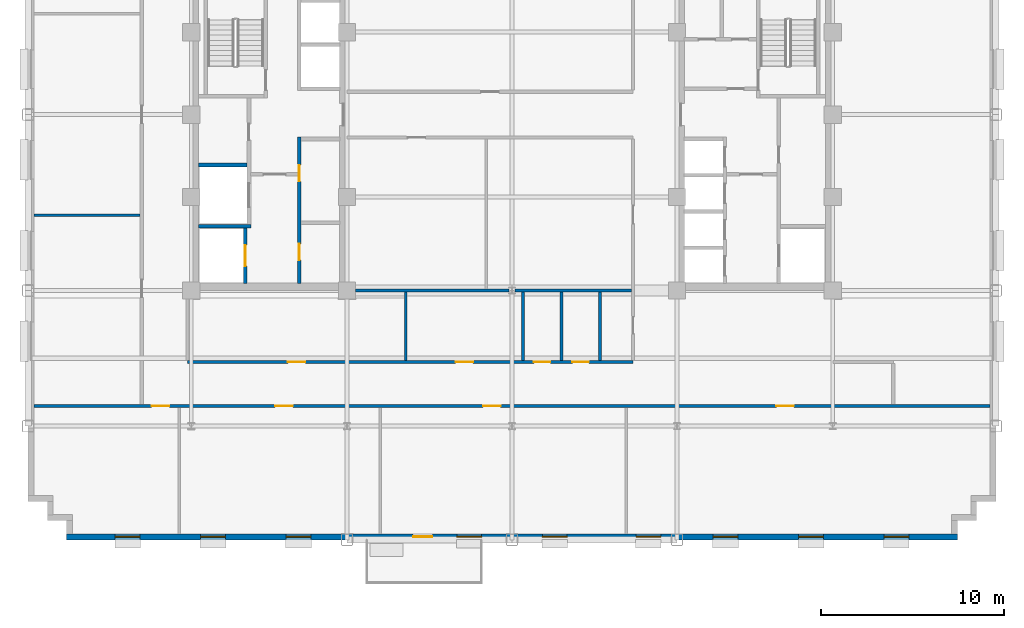
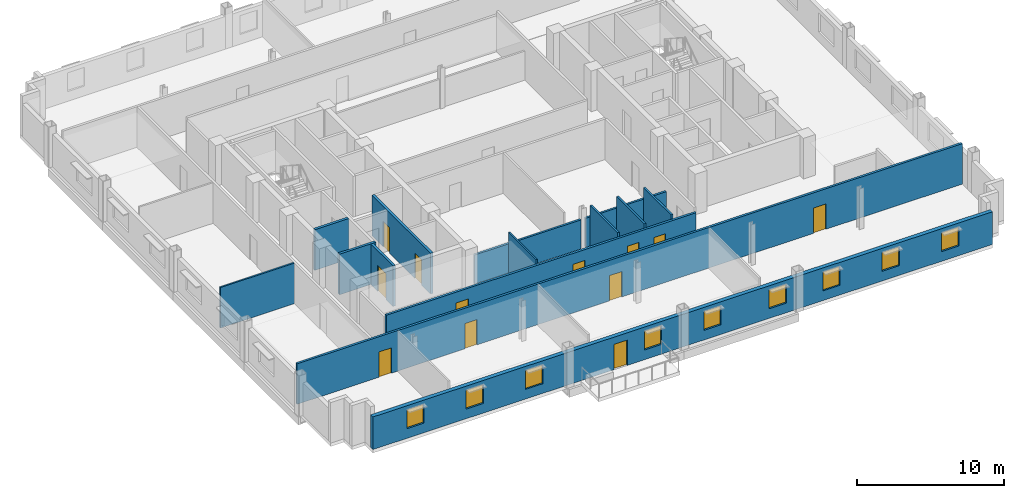
# One storey, part 6 of 13: 14 walls, 12 doors, 9 windows, 21 openings.
"""IFC4 building model written with IfcOpenShell, lengths in metres."""

from ifc_helpers import new_model, si_unit, direction, frame, frame_2d, origin, place, context, subcontext, project, spatial, rectangle, extrude, source, transform, mapped, material, layer, layer_set, type_object, type_shapes, element, fill, save


model = new_model("IFC4")

# Units and contexts
model_context = context("Model", 3, precision=1e-05, world=origin(), true_north=direction((0.0, 1.0)))
body_context = subcontext(model_context, "Body", "Model", "MODEL_VIEW")
ifc_project = project(units=[si_unit("LENGTHUNIT", "METRE"), si_unit("AREAUNIT", "SQUARE_METRE"), si_unit("VOLUMEUNIT", "CUBIC_METRE"), si_unit("PLANEANGLEUNIT", "RADIAN"), si_unit("MASSUNIT", "GRAM", prefix="KILO")], contexts=[model_context])

# Site, building, storey
site_placement = place(None, origin())
site = spatial("IfcSite", under=ifc_project, at=site_placement, CompositionType="ELEMENT")
building_placement = place(site_placement, origin())
building = spatial("IfcBuilding", under=site, at=building_placement, Name="Nuvemarco Arch Tower", CompositionType="ELEMENT")
storey_placement = place(building_placement, frame((0.0, 0.0, 156.699951171875)))
storey = spatial("IfcBuildingStorey", under=building, at=storey_placement, Name="L41", CompositionType="ELEMENT", Elevation=156.699951171875)

# Wall, openings, door, windows
ifc_material_1 = material(Name="Precast concrete C45/55", Category="concrete")
ifc_layer_1 = layer(ifc_material_1, 0.320068359375, Name="EW-MID-320")
ifc_layer_set_1 = layer_set([ifc_layer_1], Name="Precast concrete C45/55")
wall_type_1 = type_object("IfcWallType", Name="EW-MID-320", PredefinedType="STANDARD", material=ifc_layer_set_1)
wall_1_placement = place(storey_placement, frame((-24.300048828125, -23.0400390625, 0.0), z_axis=(0.0, 0.0, 1.0), x_axis=(1.0, 0.0, 0.0)))
wall_1 = element("IfcWall", 1, at=wall_1_placement, inside=storey, type_object=wall_type_1, Name="L41 exterior precast facade wall 1", PredefinedType="STANDARD", context=body_context, shape_type="SweptSolid", body=[
    extrude(rectangle(XDim=48.60009765625, YDim=0.320068359375, at=frame_2d((24.300048828125, 0.0))), origin(), (0.0, 0.0, 1.0), 2.705078125),
])
opening_1_placement = place(wall_1_placement, frame((19.949951171875, 0.0, 0.0), z_axis=(0.0, 0.0, 1.0), x_axis=(-1.0, 0.0, 0.0)))
opening_1 = element("IfcOpeningElement", 2, at=opening_1_placement, cuts=wall_1, Name="Opening ED-5", PredefinedType="OPENING", context=body_context, shape_type="SweptSolid", body=[
    extrude(rectangle(XDim=1.050048828125, YDim=2.10009765625, at=frame_2d((0.52490234375, 1.050048828125))), frame((0.0, 0.169921875, 0.0), z_axis=(0.0, -1.0, 0.0), x_axis=(1.0, 0.0, 0.0)), (0.0, 0.0, 1.0), 0.340087890625),
])
opening_2_placement = place(wall_1_placement, frame((2.655029296875, 0.0, 0.800048828125)))
opening_2 = element("IfcOpeningElement", 3, at=opening_2_placement, cuts=wall_1, Name="Opening WN-6", PredefinedType="OPENING", context=body_context, shape_type="SweptSolid", body=[
    extrude(rectangle(XDim=1.35009765625, YDim=1.56005859375, at=frame_2d((0.675048828125, 0.780029296875))), frame((0.0, 0.169921875, 0.0), z_axis=(0.0, -1.0, 0.0), x_axis=(1.0, 0.0, 0.0)), (0.0, 0.0, 1.0), 0.340087890625),
])
opening_3_placement = place(wall_1_placement, frame((7.31494140625, 0.0, 0.800048828125)))
opening_3 = element("IfcOpeningElement", 4, at=opening_3_placement, cuts=wall_1, Name="Opening WN-6", PredefinedType="OPENING", context=body_context, shape_type="SweptSolid", body=[
    extrude(rectangle(XDim=1.35009765625, YDim=1.56005859375, at=frame_2d((0.675048828125, 0.780029296875))), frame((0.0, 0.169921875, 0.0), z_axis=(0.0, -1.0, 0.0), x_axis=(1.0, 0.0, 0.0)), (0.0, 0.0, 1.0), 0.340087890625),
])
opening_4_placement = place(wall_1_placement, frame((11.97509765625, 0.0, 0.800048828125)))
opening_4 = element("IfcOpeningElement", 5, at=opening_4_placement, cuts=wall_1, Name="Opening WN-6", PredefinedType="OPENING", context=body_context, shape_type="SweptSolid", body=[
    extrude(rectangle(XDim=1.35009765625, YDim=1.56005859375, at=frame_2d((0.675048828125, 0.780029296875))), frame((0.0, 0.169921875, 0.0), z_axis=(0.0, -1.0, 0.0), x_axis=(1.0, 0.0, 0.0)), (0.0, 0.0, 1.0), 0.340087890625),
])
opening_5_placement = place(wall_1_placement, frame((21.294921875, 0.0, 0.800048828125)))
opening_5 = element("IfcOpeningElement", 6, at=opening_5_placement, cuts=wall_1, Name="Opening WN-6", PredefinedType="OPENING", context=body_context, shape_type="SweptSolid", body=[
    extrude(rectangle(XDim=1.35009765625, YDim=1.56005859375, at=frame_2d((0.675048828125, 0.780029296875))), frame((0.0, 0.169921875, 0.0), z_axis=(0.0, -1.0, 0.0), x_axis=(1.0, 0.0, 0.0)), (0.0, 0.0, 1.0), 0.340087890625),
])
opening_6_placement = place(wall_1_placement, frame((25.955078125, 0.0, 0.800048828125)))
opening_6 = element("IfcOpeningElement", 7, at=opening_6_placement, cuts=wall_1, Name="Opening WN-6", PredefinedType="OPENING", context=body_context, shape_type="SweptSolid", body=[
    extrude(rectangle(XDim=1.35009765625, YDim=1.56005859375, at=frame_2d((0.675048828125, 0.780029296875))), frame((0.0, 0.169921875, 0.0), z_axis=(0.0, -1.0, 0.0), x_axis=(1.0, 0.0, 0.0)), (0.0, 0.0, 1.0), 0.340087890625),
])
opening_7_placement = place(wall_1_placement, frame((31.06494140625, 0.0, 0.800048828125)))
opening_7 = element("IfcOpeningElement", 8, at=opening_7_placement, cuts=wall_1, Name="Opening WN-6", PredefinedType="OPENING", context=body_context, shape_type="SweptSolid", body=[
    extrude(rectangle(XDim=1.35009765625, YDim=1.56005859375, at=frame_2d((0.675048828125, 0.780029296875))), frame((0.0, 0.169921875, 0.0), z_axis=(0.0, -1.0, 0.0), x_axis=(1.0, 0.0, 0.0)), (0.0, 0.0, 1.0), 0.340087890625),
])
opening_8_placement = place(wall_1_placement, frame((35.27490234375, 0.0, 0.800048828125)))
opening_8 = element("IfcOpeningElement", 9, at=opening_8_placement, cuts=wall_1, Name="Opening WN-6", PredefinedType="OPENING", context=body_context, shape_type="SweptSolid", body=[
    extrude(rectangle(XDim=1.35009765625, YDim=1.56005859375, at=frame_2d((0.675048828125, 0.780029296875))), frame((0.0, 0.169921875, 0.0), z_axis=(0.0, -1.0, 0.0), x_axis=(1.0, 0.0, 0.0)), (0.0, 0.0, 1.0), 0.340087890625),
])
opening_9_placement = place(wall_1_placement, frame((39.93505859375, 0.0, 0.800048828125)))
opening_9 = element("IfcOpeningElement", 10, at=opening_9_placement, cuts=wall_1, Name="Opening WN-6", PredefinedType="OPENING", context=body_context, shape_type="SweptSolid", body=[
    extrude(rectangle(XDim=1.35009765625, YDim=1.56005859375, at=frame_2d((0.675048828125, 0.780029296875))), frame((0.0, 0.169921875, 0.0), z_axis=(0.0, -1.0, 0.0), x_axis=(1.0, 0.0, 0.0)), (0.0, 0.0, 1.0), 0.340087890625),
])
opening_10_placement = place(wall_1_placement, frame((44.594970703125, 0.0, 0.800048828125)))
opening_10 = element("IfcOpeningElement", 11, at=opening_10_placement, cuts=wall_1, Name="Opening WN-6", PredefinedType="OPENING", context=body_context, shape_type="SweptSolid", body=[
    extrude(rectangle(XDim=1.35009765625, YDim=1.56005859375, at=frame_2d((0.675048828125, 0.780029296875))), frame((0.0, 0.169921875, 0.0), z_axis=(0.0, -1.0, 0.0), x_axis=(1.0, 0.0, 0.0)), (0.0, 0.0, 1.0), 0.340087890625),
])
ifc_material_2 = material(Name="Anodised bronze and laminated glass", Category="glass")
door_type_1 = type_object("IfcDoorType", Name="DR-EXT-TERR", OperationType="NOTDEFINED", PredefinedType="DOOR", material=ifc_material_2)
shared_shape_1 = source(origin(), body_context, "Body", "SweptSolid", [
    extrude(rectangle(XDim=1.050048828125, YDim=2.10009765625, at=frame_2d((0.52490234375, 1.050048828125))), frame((0.0, 0.02490234375, 0.0), z_axis=(0.0, -1.0, 0.0), x_axis=(1.0, 0.0, 0.0)), (0.0, 0.0, 1.0), 0.050048828125),
])
type_shapes(door_type_1, [shared_shape_1])
door_1_placement = place(opening_1_placement, origin())
door_1 = element("IfcDoor", 12, at=door_1_placement, inside=storey, type_object=door_type_1, Name="L41 spiral terrace access door", OperationType="SINGLE_SWING_LEFT", OverallHeight=2.10009765625, OverallWidth=1.050048828125, PredefinedType="DOOR", context=body_context, shape_type="MappedRepresentation", body=[
    mapped(shared_shape_1, transform((0.0, 0.0, 0.0), scale=1.0)),
])
fill(opening_1, door_1)
ifc_material_3 = material(Name="Insulated solar-control glass", Category="glass")
window_type = type_object("IfcWindowType", Name="WN-MID-1350x1560", PartitioningType="SINGLE_PANEL", PredefinedType="WINDOW", material=ifc_material_3)
shared_shape_2 = source(origin(), body_context, "Body", "SweptSolid", [
    extrude(rectangle(XDim=1.35009765625, YDim=1.56005859375, at=frame_2d((0.675048828125, 0.780029296875))), frame((0.0, 0.030029296875, 0.0), z_axis=(0.0, -1.0, 0.0), x_axis=(1.0, 0.0, 0.0)), (0.0, 0.0, 1.0), 0.06005859375),
])
type_shapes(window_type, [shared_shape_2])
window_1_placement = place(opening_2_placement, origin())
window_1 = element("IfcWindow", 13, at=window_1_placement, inside=storey, type_object=window_type, Name="L41 punched facade window 1", OverallHeight=1.56005859375, OverallWidth=1.35009765625, PartitioningType="SINGLE_PANEL", PredefinedType="WINDOW", context=body_context, shape_type="MappedRepresentation", body=[
    mapped(shared_shape_2, transform((0.0, 0.0, 0.0), scale=1.0)),
])
fill(opening_2, window_1)
window_2_placement = place(opening_3_placement, origin())
window_2 = element("IfcWindow", 14, at=window_2_placement, inside=storey, type_object=window_type, Name="L41 punched facade window 2", OverallHeight=1.56005859375, OverallWidth=1.35009765625, PartitioningType="SINGLE_PANEL", PredefinedType="WINDOW", context=body_context, shape_type="MappedRepresentation", body=[
    mapped(shared_shape_2, transform((0.0, 0.0, 0.0), scale=1.0)),
])
fill(opening_3, window_2)
window_3_placement = place(opening_4_placement, origin())
window_3 = element("IfcWindow", 15, at=window_3_placement, inside=storey, type_object=window_type, Name="L41 punched facade window 3", OverallHeight=1.56005859375, OverallWidth=1.35009765625, PartitioningType="SINGLE_PANEL", PredefinedType="WINDOW", context=body_context, shape_type="MappedRepresentation", body=[
    mapped(shared_shape_2, transform((0.0, 0.0, 0.0), scale=1.0)),
])
fill(opening_4, window_3)
window_4_placement = place(opening_5_placement, origin())
window_4 = element("IfcWindow", 16, at=window_4_placement, inside=storey, type_object=window_type, Name="L41 punched facade window 5", OverallHeight=1.56005859375, OverallWidth=1.35009765625, PartitioningType="SINGLE_PANEL", PredefinedType="WINDOW", context=body_context, shape_type="MappedRepresentation", body=[
    mapped(shared_shape_2, transform((0.0, 0.0, 0.0), scale=1.0)),
])
fill(opening_5, window_4)
window_5_placement = place(opening_6_placement, origin())
window_5 = element("IfcWindow", 17, at=window_5_placement, inside=storey, type_object=window_type, Name="L41 punched facade window 6", OverallHeight=1.56005859375, OverallWidth=1.35009765625, PartitioningType="SINGLE_PANEL", PredefinedType="WINDOW", context=body_context, shape_type="MappedRepresentation", body=[
    mapped(shared_shape_2, transform((0.0, 0.0, 0.0), scale=1.0)),
])
fill(opening_6, window_5)
window_6_placement = place(opening_7_placement, origin())
window_6 = element("IfcWindow", 18, at=window_6_placement, inside=storey, type_object=window_type, Name="L41 punched facade window 7", OverallHeight=1.56005859375, OverallWidth=1.35009765625, PartitioningType="SINGLE_PANEL", PredefinedType="WINDOW", context=body_context, shape_type="MappedRepresentation", body=[
    mapped(shared_shape_2, transform((0.0, 0.0, 0.0), scale=1.0)),
])
fill(opening_7, window_6)
window_7_placement = place(opening_8_placement, origin())
window_7 = element("IfcWindow", 19, at=window_7_placement, inside=storey, type_object=window_type, Name="L41 punched facade window 8", OverallHeight=1.56005859375, OverallWidth=1.35009765625, PartitioningType="SINGLE_PANEL", PredefinedType="WINDOW", context=body_context, shape_type="MappedRepresentation", body=[
    mapped(shared_shape_2, transform((0.0, 0.0, 0.0), scale=1.0)),
])
fill(opening_8, window_7)
window_8_placement = place(opening_9_placement, origin())
window_8 = element("IfcWindow", 20, at=window_8_placement, inside=storey, type_object=window_type, Name="L41 punched facade window 9", OverallHeight=1.56005859375, OverallWidth=1.35009765625, PartitioningType="SINGLE_PANEL", PredefinedType="WINDOW", context=body_context, shape_type="MappedRepresentation", body=[
    mapped(shared_shape_2, transform((0.0, 0.0, 0.0), scale=1.0)),
])
fill(opening_9, window_8)
window_9_placement = place(opening_10_placement, origin())
window_9 = element("IfcWindow", 21, at=window_9_placement, inside=storey, type_object=window_type, Name="L41 punched facade window 10", OverallHeight=1.56005859375, OverallWidth=1.35009765625, PartitioningType="SINGLE_PANEL", PredefinedType="WINDOW", context=body_context, shape_type="MappedRepresentation", body=[
    mapped(shared_shape_2, transform((0.0, 0.0, 0.0), scale=1.0)),
])
fill(opening_10, window_9)

# Wall, openings, doors
ifc_material_4 = material(Name="Fire-rated gypsum drywall partition")
ifc_layer_2 = layer(ifc_material_4, 0.179931640625, Name="WL-CORR-180")
ifc_layer_set_2 = layer_set([ifc_layer_2], Name="Fire-rated gypsum drywall partition")
wall_type_2 = type_object("IfcWallType", Name="WL-CORR-180", PredefinedType="PARTITIONING", material=ifc_layer_set_2)
wall_2_placement = place(storey_placement, frame((-26.080078125, -15.89990234375, 0.0), z_axis=(0.0, 0.0, 1.0), x_axis=(1.0, 0.0, 0.0)))
wall_2 = element("IfcWall", 22, at=wall_2_placement, inside=storey, type_object=wall_type_2, Name="L41 interior wall IW-L41-001", PredefinedType="PARTITIONING", context=body_context, shape_type="SweptSolid", body=[
    extrude(rectangle(XDim=52.16015625, YDim=0.179931640625, at=frame_2d((26.080078125, 0.0))), origin(), (0.0, 0.0, 1.0), 3.360107421875),
])
opening_11_placement = place(wall_2_placement, frame((24.5, 0.0, 0.0)))
opening_11 = element("IfcOpeningElement", 23, at=opening_11_placement, cuts=wall_2, Name="Opening FD-5", PredefinedType="OPENING", context=body_context, shape_type="SweptSolid", body=[
    extrude(rectangle(XDim=0.9599609375, YDim=2.10009765625, at=frame_2d((0.47998046875, 1.050048828125))), frame((0.0, 0.099853515625, 0.0), z_axis=(0.0, -1.0, 0.0), x_axis=(1.0, 0.0, 0.0)), (0.0, 0.0, 1.0), 0.199951171875),
])
opening_12_placement = place(wall_2_placement, frame((40.5, 0.0, 0.0)))
opening_12 = element("IfcOpeningElement", 24, at=opening_12_placement, cuts=wall_2, Name="Opening FD-5", PredefinedType="OPENING", context=body_context, shape_type="SweptSolid", body=[
    extrude(rectangle(XDim=0.9599609375, YDim=2.10009765625, at=frame_2d((0.47998046875, 1.050048828125))), frame((0.0, 0.099853515625, 0.0), z_axis=(0.0, -1.0, 0.0), x_axis=(1.0, 0.0, 0.0)), (0.0, 0.0, 1.0), 0.199951171875),
])
opening_13_placement = place(wall_2_placement, frame((13.159912109375, 0.0, 0.0)))
opening_13 = element("IfcOpeningElement", 25, at=opening_13_placement, cuts=wall_2, Name="Opening FD-5", PredefinedType="OPENING", context=body_context, shape_type="SweptSolid", body=[
    extrude(rectangle(XDim=0.9599609375, YDim=2.10009765625, at=frame_2d((0.47998046875, 1.050048828125))), frame((0.0, 0.099853515625, 0.0), z_axis=(0.0, -1.0, 0.0), x_axis=(1.0, 0.0, 0.0)), (0.0, 0.0, 1.0), 0.199951171875),
])
opening_14_placement = place(wall_2_placement, frame((6.425048828125, 0.0, 0.0)))
opening_14 = element("IfcOpeningElement", 26, at=opening_14_placement, cuts=wall_2, Name="Opening FD-5", PredefinedType="OPENING", context=body_context, shape_type="SweptSolid", body=[
    extrude(rectangle(XDim=0.9599609375, YDim=2.10009765625, at=frame_2d((0.47998046875, 1.050048828125))), frame((0.0, 0.099853515625, 0.0), z_axis=(0.0, -1.0, 0.0), x_axis=(1.0, 0.0, 0.0)), (0.0, 0.0, 1.0), 0.199951171875),
])
ifc_material_5 = material(Name="Timber fire door", Category="wood")
door_type_2 = type_object("IfcDoorType", Name="DR-CORR-FD", OperationType="NOTDEFINED", PredefinedType="DOOR", material=ifc_material_5)
shared_shape_3 = source(origin(), body_context, "Body", "SweptSolid", [
    extrude(rectangle(XDim=0.9599609375, YDim=2.10009765625, at=frame_2d((0.47998046875, 1.050048828125))), frame((0.0, 0.02490234375, 0.0), z_axis=(0.0, -1.0, 0.0), x_axis=(1.0, 0.0, 0.0)), (0.0, 0.0, 1.0), 0.050048828125),
])
type_shapes(door_type_2, [shared_shape_3])
door_2_placement = place(opening_11_placement, origin())
door_2 = element("IfcDoor", 27, at=door_2_placement, inside=storey, type_object=door_type_2, Name="L41 door DR-L41-S_3", OperationType="SINGLE_SWING_RIGHT", OverallHeight=2.10009765625, OverallWidth=0.9599609375, PredefinedType="DOOR", context=body_context, shape_type="MappedRepresentation", body=[
    mapped(shared_shape_3, transform((0.0, 0.0, 0.0), scale=1.0)),
])
fill(opening_11, door_2)
door_3_placement = place(opening_12_placement, origin())
door_3 = element("IfcDoor", 28, at=door_3_placement, inside=storey, type_object=door_type_2, Name="L41 door DR-L41-S_4", OperationType="SINGLE_SWING_RIGHT", OverallHeight=2.10009765625, OverallWidth=0.9599609375, PredefinedType="DOOR", context=body_context, shape_type="MappedRepresentation", body=[
    mapped(shared_shape_3, transform((0.0, 0.0, 0.0), scale=1.0)),
])
fill(opening_12, door_3)
door_4_placement = place(opening_13_placement, origin())
door_4 = element("IfcDoor", 29, at=door_4_placement, inside=storey, type_object=door_type_2, Name="L41 door DR-L41-S_2", OperationType="SINGLE_SWING_LEFT", OverallHeight=2.10009765625, OverallWidth=0.9599609375, PredefinedType="DOOR", context=body_context, shape_type="MappedRepresentation", body=[
    mapped(shared_shape_3, transform((0.0, 0.0, 0.0), scale=1.0)),
])
fill(opening_13, door_4)
door_5_placement = place(opening_14_placement, origin())
door_5 = element("IfcDoor", 30, at=door_5_placement, inside=storey, type_object=door_type_2, Name="L41 door DR-L41-S_1", OperationType="SINGLE_SWING_LEFT", OverallHeight=2.10009765625, OverallWidth=0.9599609375, PredefinedType="DOOR", context=body_context, shape_type="MappedRepresentation", body=[
    mapped(shared_shape_3, transform((0.0, 0.0, 0.0), scale=1.0)),
])
fill(opening_14, door_5)

wall_3_placement = place(storey_placement, frame((-17.699951171875, -13.5, 0.0), z_axis=(0.0, 0.0, 1.0), x_axis=(1.0, 0.0, 0.0)))
wall_3 = element("IfcWall", 31, at=wall_3_placement, inside=storey, type_object=wall_type_2, Name="L41 interior wall IW-L41-002", PredefinedType="PARTITIONING", context=body_context, shape_type="SweptSolid", body=[
    extrude(rectangle(XDim=24.300048828125, YDim=0.179931640625, at=frame_2d((12.14990234375, 0.0))), origin(), (0.0, 0.0, 1.0), 2.998046875),
])
opening_15_placement = place(wall_3_placement, frame((5.469970703125, 0.0, 0.0)))
opening_15 = element("IfcOpeningElement", 32, at=opening_15_placement, cuts=wall_3, Name="Opening FD-5", PredefinedType="OPENING", context=body_context, shape_type="SweptSolid", body=[
    extrude(rectangle(XDim=0.9599609375, YDim=2.10009765625, at=frame_2d((0.47998046875, 1.050048828125))), frame((0.0, 0.099853515625, 0.0), z_axis=(0.0, -1.0, 0.0), x_axis=(1.0, 0.0, 0.0)), (0.0, 0.0, 1.0), 0.199951171875),
])
opening_16_placement = place(wall_3_placement, frame((14.6201171875, 0.0, 0.0)))
opening_16 = element("IfcOpeningElement", 33, at=opening_16_placement, cuts=wall_3, Name="Opening FD-5", PredefinedType="OPENING", context=body_context, shape_type="SweptSolid", body=[
    extrude(rectangle(XDim=0.9599609375, YDim=2.10009765625, at=frame_2d((0.47998046875, 1.050048828125))), frame((0.0, 0.099853515625, 0.0), z_axis=(0.0, -1.0, 0.0), x_axis=(1.0, 0.0, 0.0)), (0.0, 0.0, 1.0), 0.199951171875),
])
opening_17_placement = place(wall_3_placement, frame((18.89990234375, 0.0, 0.0)))
opening_17 = element("IfcOpeningElement", 34, at=opening_17_placement, cuts=wall_3, Name="Opening ID-3", PredefinedType="OPENING", context=body_context, shape_type="SweptSolid", body=[
    extrude(rectangle(XDim=0.89990234375, YDim=2.10009765625, at=frame_2d((0.449951171875, 1.050048828125))), frame((0.0, 0.099853515625, 0.0), z_axis=(0.0, -1.0, 0.0), x_axis=(1.0, 0.0, 0.0)), (0.0, 0.0, 1.0), 0.199951171875),
])
opening_18_placement = place(wall_3_placement, frame((21.0, 0.0, 0.0)))
opening_18 = element("IfcOpeningElement", 35, at=opening_18_placement, cuts=wall_3, Name="Opening ID-3", PredefinedType="OPENING", context=body_context, shape_type="SweptSolid", body=[
    extrude(rectangle(XDim=0.89990234375, YDim=2.10009765625, at=frame_2d((0.449951171875, 1.050048828125))), frame((0.0, 0.099853515625, 0.0), z_axis=(0.0, -1.0, 0.0), x_axis=(1.0, 0.0, 0.0)), (0.0, 0.0, 1.0), 0.199951171875),
])
door_6_placement = place(opening_15_placement, origin())
door_6 = element("IfcDoor", 36, at=door_6_placement, inside=storey, type_object=door_type_2, Name="L41 door DR-L41-IN_S1", OperationType="SINGLE_SWING_RIGHT", OverallHeight=2.10009765625, OverallWidth=0.9599609375, PredefinedType="DOOR", context=body_context, shape_type="MappedRepresentation", body=[
    mapped(shared_shape_3, transform((0.0, 0.0, 0.0), scale=1.0)),
])
fill(opening_15, door_6)
door_7_placement = place(opening_16_placement, origin())
door_7 = element("IfcDoor", 37, at=door_7_placement, inside=storey, type_object=door_type_2, Name="L41 door DR-L41-IN_S2", OperationType="SINGLE_SWING_RIGHT", OverallHeight=2.10009765625, OverallWidth=0.9599609375, PredefinedType="DOOR", context=body_context, shape_type="MappedRepresentation", body=[
    mapped(shared_shape_3, transform((0.0, 0.0, 0.0), scale=1.0)),
])
fill(opening_16, door_7)
ifc_material_6 = material(Name="Veneered oak timber fire door", Category="wood")
door_type_3 = type_object("IfcDoorType", Name="DR-WC-ACC", OperationType="NOTDEFINED", PredefinedType="DOOR", material=ifc_material_6)
shared_shape_4 = source(origin(), body_context, "Body", "SweptSolid", [
    extrude(rectangle(XDim=0.89990234375, YDim=2.10009765625, at=frame_2d((0.449951171875, 1.050048828125))), frame((0.0, 0.02490234375, 0.0), z_axis=(0.0, -1.0, 0.0), x_axis=(1.0, 0.0, 0.0)), (0.0, 0.0, 1.0), 0.050048828125),
])
type_shapes(door_type_3, [shared_shape_4])
door_8_placement = place(opening_17_placement, origin())
door_8 = element("IfcDoor", 38, at=door_8_placement, inside=storey, type_object=door_type_3, Name="L41 door DR-L41-WC_M", OperationType="SINGLE_SWING_LEFT", OverallHeight=2.10009765625, OverallWidth=0.89990234375, PredefinedType="DOOR", context=body_context, shape_type="MappedRepresentation", body=[
    mapped(shared_shape_4, transform((0.0, 0.0, 0.0), scale=1.0)),
])
fill(opening_17, door_8)
door_9_placement = place(opening_18_placement, origin())
door_9 = element("IfcDoor", 39, at=door_9_placement, inside=storey, type_object=door_type_3, Name="L41 door DR-L41-WC_F", OperationType="SINGLE_SWING_RIGHT", OverallHeight=2.10009765625, OverallWidth=0.89990234375, PredefinedType="DOOR", context=body_context, shape_type="MappedRepresentation", body=[
    mapped(shared_shape_4, transform((0.0, 0.0, 0.0), scale=1.0)),
])
fill(opening_18, door_9)

# Walls
ifc_material_7 = material(Name="Glazed acoustic office partition")
ifc_layer_3 = layer(ifc_material_7, 0.1298828125, Name="WL-EXEC-130")
ifc_layer_set_3 = layer_set([ifc_layer_3], Name="Glazed acoustic office partition")
wall_type_3 = type_object("IfcWallType", Name="WL-EXEC-130", PredefinedType="PARTITIONING", material=ifc_layer_set_3)
wall_4_placement = place(storey_placement, frame((-26.080078125, -5.5, 0.0), z_axis=(0.0, 0.0, 1.0), x_axis=(1.0, 0.0, 0.0)))
element("IfcWall", 40, at=wall_4_placement, inside=storey, type_object=wall_type_3, Name="L41 interior wall IW-L41-006", PredefinedType="PARTITIONING", context=body_context, shape_type="SweptSolid", body=[
    extrude(rectangle(XDim=5.794189453125, YDim=0.1298828125, at=frame_2d((2.89697265625, 0.0))), origin(), (0.0, 0.0, 1.0), 3.360107421875),
])
wall_5_placement = place(storey_placement, frame((-5.800048828125, -13.4140625, 0.0), z_axis=(0.0, 0.0, 1.0), x_axis=(0.0, 1.0, 0.0)))
element("IfcWall", 41, at=wall_5_placement, inside=storey, type_object=wall_type_3, Name="L41 interior wall IW-L41-021", PredefinedType="PARTITIONING", context=body_context, shape_type="SweptSolid", body=[
    extrude(rectangle(XDim=3.738037109375, YDim=0.1298828125, at=frame_2d((1.869140625, 0.0))), origin(), (0.0, 0.0, 1.0), 3.360107421875),
])

# Wall, opening, door
ifc_material_8 = material(Name="Concrete C50/60", Category="concrete")
ifc_layer_4 = layer(ifc_material_8, 0.199951171875, Name="WL-SHAFT-220")
ifc_layer_set_4 = layer_set([ifc_layer_4], Name="Concrete C50/60")
wall_type_4 = type_object("IfcWallType", Name="WL-SHAFT-220", PredefinedType="SHEAR", material=ifc_layer_set_4)
wall_6_placement = place(storey_placement, frame((-14.550048828125, -9.205078125, 0.0), z_axis=(0.0, 0.0, 1.0), x_axis=(0.0, 1.0, 0.0)))
wall_6 = element("IfcWall", 42, at=wall_6_placement, inside=storey, type_object=wall_type_4, Name="L41 structural shaft wall SW-L41-W-SHE", PredefinedType="SHEAR", context=body_context, shape_type="SweptSolid", body=[
    extrude(rectangle(XDim=3.010009765625, YDim=0.199951171875, at=frame_2d((1.5048828125, 0.0))), origin(), (0.0, 0.0, 1.0), 3.3701171875),
])
opening_19_placement = place(wall_6_placement, frame((0.929931640625, 0.0, 0.0)))
opening_19 = element("IfcOpeningElement", 43, at=opening_19_placement, cuts=wall_6, Name="Opening LD-2", PredefinedType="OPENING", context=body_context, shape_type="SweptSolid", body=[
    extrude(rectangle(XDim=1.14990234375, YDim=2.14990234375, at=frame_2d((0.574951171875, 1.074951171875))), frame((0.0, 0.10986328125, 0.0), z_axis=(0.0, -1.0, 0.0), x_axis=(1.0, 0.0, 0.0)), (0.0, 0.0, 1.0), 0.219970703125),
])
ifc_material_9 = material(Name="Stainless steel lift door", Category="steel")
door_type_4 = type_object("IfcDoorType", Name="DR-LIFT-FIRE", OperationType="DOUBLE_DOOR_SLIDING", PredefinedType="DOOR", material=ifc_material_9)
shared_shape_5 = source(origin(), body_context, "Body", "SweptSolid", [
    extrude(rectangle(XDim=1.14990234375, YDim=2.14990234375, at=frame_2d((0.574951171875, 1.074951171875))), frame((0.0, 0.02490234375, 0.0), z_axis=(0.0, -1.0, 0.0), x_axis=(1.0, 0.0, 0.0)), (0.0, 0.0, 1.0), 0.050048828125),
])
type_shapes(door_type_4, [shared_shape_5])
door_10_placement = place(opening_19_placement, origin())
door_10 = element("IfcDoor", 44, at=door_10_placement, inside=storey, type_object=door_type_4, Name="L41 Lift landing sliding door FFL-1", OperationType="DOUBLE_DOOR_SLIDING", OverallHeight=2.14990234375, OverallWidth=1.14990234375, PredefinedType="DOOR", context=body_context, shape_type="MappedRepresentation", body=[
    mapped(shared_shape_5, transform((0.0, 0.0, 0.0), scale=1.0)),
])
fill(opening_19, door_10)

# Walls
wall_7_placement = place(storey_placement, frame((-17.10498046875, -6.10009765625, 0.0), z_axis=(0.0, 0.0, 1.0), x_axis=(1.0, 0.0, 0.0)))
element("IfcWall", 45, at=wall_7_placement, inside=storey, type_object=wall_type_4, Name="L41 structural shaft wall SW-L41-W-SH1", PredefinedType="SHEAR", context=body_context, shape_type="SweptSolid", body=[
    extrude(rectangle(XDim=2.85498046875, YDim=0.199951171875, at=frame_2d((1.427490234375, 0.0))), origin(), (0.0, 0.0, 1.0), 3.3701171875),
])
wall_8_placement = place(storey_placement, frame((-17.10498046875, -2.75, 0.0), z_axis=(0.0, 0.0, 1.0), x_axis=(1.0, 0.0, 0.0)))
element("IfcWall", 46, at=wall_8_placement, inside=storey, type_object=wall_type_4, Name="L41 structural shaft wall SW-L41-W-SH2", PredefinedType="SHEAR", context=body_context, shape_type="SweptSolid", body=[
    extrude(rectangle(XDim=2.659912109375, YDim=0.199951171875, at=frame_2d((1.330078125, 0.0))), origin(), (0.0, 0.0, 1.0), 3.3701171875),
])

# Wall, openings, doors
wall_9_placement = place(storey_placement, frame((-11.60009765625, -9.205078125, 0.0), z_axis=(0.0, 0.0, 1.0), x_axis=(0.0, 1.0, 0.0)))
wall_9 = element("IfcWall", 47, at=wall_9_placement, inside=storey, type_object=wall_type_4, Name="L41 structural shaft wall SW-L41-W-PLW", PredefinedType="SHEAR", context=body_context, shape_type="SweptSolid", body=[
    extrude(rectangle(XDim=7.97509765625, YDim=0.199951171875, at=frame_2d((3.987548828125, 0.0))), origin(), (0.0, 0.0, 1.0), 3.3701171875),
])
opening_20_placement = place(wall_9_placement, frame((1.264892578125, 0.0, 0.0)))
opening_20 = element("IfcOpeningElement", 48, at=opening_20_placement, cuts=wall_9, Name="Opening FD-4", PredefinedType="OPENING", context=body_context, shape_type="SweptSolid", body=[
    extrude(rectangle(XDim=0.8798828125, YDim=2.10009765625, at=frame_2d((0.43994140625, 1.050048828125))), frame((0.0, 0.10986328125, 0.0), z_axis=(0.0, -1.0, 0.0), x_axis=(1.0, 0.0, 0.0)), (0.0, 0.0, 1.0), 0.219970703125),
])
opening_21_placement = place(wall_9_placement, frame((5.56494140625, 0.0, 0.0)))
opening_21 = element("IfcOpeningElement", 49, at=opening_21_placement, cuts=wall_9, Name="Opening FD-4", PredefinedType="OPENING", context=body_context, shape_type="SweptSolid", body=[
    extrude(rectangle(XDim=0.8798828125, YDim=2.10009765625, at=frame_2d((0.43994140625, 1.050048828125))), frame((0.0, 0.10986328125, 0.0), z_axis=(0.0, -1.0, 0.0), x_axis=(1.0, 0.0, 0.0)), (0.0, 0.0, 1.0), 0.219970703125),
])
ifc_material_10 = material(Name="Anodised steel fire door", Category="steel")
door_type_5 = type_object("IfcDoorType", Name="DR-RISER-FD", OperationType="NOTDEFINED", PredefinedType="DOOR", material=ifc_material_10)
shared_shape_6 = source(origin(), body_context, "Body", "SweptSolid", [
    extrude(rectangle(XDim=0.8798828125, YDim=2.10009765625, at=frame_2d((0.43994140625, 1.050048828125))), frame((0.0, 0.02490234375, 0.0), z_axis=(0.0, -1.0, 0.0), x_axis=(1.0, 0.0, 0.0)), (0.0, 0.0, 1.0), 0.050048828125),
])
type_shapes(door_type_5, [shared_shape_6])
door_11_placement = place(opening_20_placement, origin())
door_11 = element("IfcDoor", 50, at=door_11_placement, inside=storey, type_object=door_type_5, Name="L41 door FD-L41-WREC1", OperationType="SINGLE_SWING_LEFT", OverallHeight=2.10009765625, OverallWidth=0.8798828125, PredefinedType="DOOR", context=body_context, shape_type="MappedRepresentation", body=[
    mapped(shared_shape_6, transform((0.0, 0.0, 0.0), scale=1.0)),
])
fill(opening_20, door_11)
door_12_placement = place(opening_21_placement, origin())
door_12 = element("IfcDoor", 51, at=door_12_placement, inside=storey, type_object=door_type_5, Name="L41 door FD-L41-WREC2", OperationType="SINGLE_SWING_RIGHT", OverallHeight=2.10009765625, OverallWidth=0.8798828125, PredefinedType="DOOR", context=body_context, shape_type="MappedRepresentation", body=[
    mapped(shared_shape_6, transform((0.0, 0.0, 0.0), scale=1.0)),
])
fill(opening_21, door_12)

# Walls
ifc_material_11 = material(Name="Acoustic gypsum drywall partition")
ifc_layer_5 = layer(ifc_material_11, 0.159912109375, Name="WL-TENANT-160")
ifc_layer_set_5 = layer_set([ifc_layer_5], Name="Acoustic gypsum drywall partition")
wall_type_5 = type_object("IfcWallType", Name="WL-TENANT-160", PredefinedType="PARTITIONING", material=ifc_layer_set_5)
wall_10_placement = place(storey_placement, frame((-8.529052734375, -9.60009765625, 0.0), z_axis=(0.0, 0.0, 1.0), x_axis=(1.0, 0.0, 0.0)))
element("IfcWall", 52, at=wall_10_placement, inside=storey, type_object=wall_type_5, Name="L41 interior wall IW-L41-004", PredefinedType="PARTITIONING", context=body_context, shape_type="SweptSolid", body=[
    extrude(rectangle(XDim=8.35302734375, YDim=0.159912109375, at=frame_2d((4.176513671875, 0.0))), origin(), (0.0, 0.0, 1.0), 2.405029296875),
])
wall_11_placement = place(storey_placement, frame((0.176025390625, -9.60009765625, 0.0), z_axis=(0.0, 0.0, 1.0), x_axis=(1.0, 0.0, 0.0)))
element("IfcWall", 53, at=wall_11_placement, inside=storey, type_object=wall_type_5, Name="L41 interior wall IW-L41-005", PredefinedType="PARTITIONING", context=body_context, shape_type="SweptSolid", body=[
    extrude(rectangle(XDim=6.337890625, YDim=0.159912109375, at=frame_2d((3.1689453125, 0.0))), origin(), (0.0, 0.0, 1.0), 2.405029296875),
])
ifc_material_12 = material(Name="Moisture-resistant gypsum partition")
ifc_layer_6 = layer(ifc_material_12, 0.14990234375, Name="WL-WET-150")
ifc_layer_set_6 = layer_set([ifc_layer_6], Name="Moisture-resistant gypsum partition")
wall_type_6 = type_object("IfcWallType", Name="WL-WET-150", PredefinedType="PARTITIONING", material=ifc_layer_set_6)
for number, where, z_axis, x_axis, name in (
    (54, (0.60009765625, -13.4140625, 0.0), (0.0, 0.0, 1.0), (0.0, 1.0, 0.0), "L41 interior wall IW-L41-023"),
    (55, (2.699951171875, -13.4140625, 0.0), (0.0, 0.0, 1.0), (0.0, 1.0, 0.0), "L41 interior wall IW-L41-024"),
    (56, (4.800048828125, -13.4140625, 0.0), (0.0, 0.0, 1.0), (0.0, 1.0, 0.0), "L41 interior wall IW-L41-025"),
):
    element("IfcWall", number, at=place(storey_placement, frame(where, z_axis=z_axis, x_axis=x_axis)), inside=storey, type_object=wall_type_6, Name=name, PredefinedType="PARTITIONING", context=body_context, shape_type="SweptSolid", body=[
        extrude(rectangle(XDim=3.738037109375, YDim=0.14990234375, at=frame_2d((1.869140625, 0.0))), origin(), (0.0, 0.0, 1.0), 3.360107421875),
    ])

save(model, "model.ifc")
